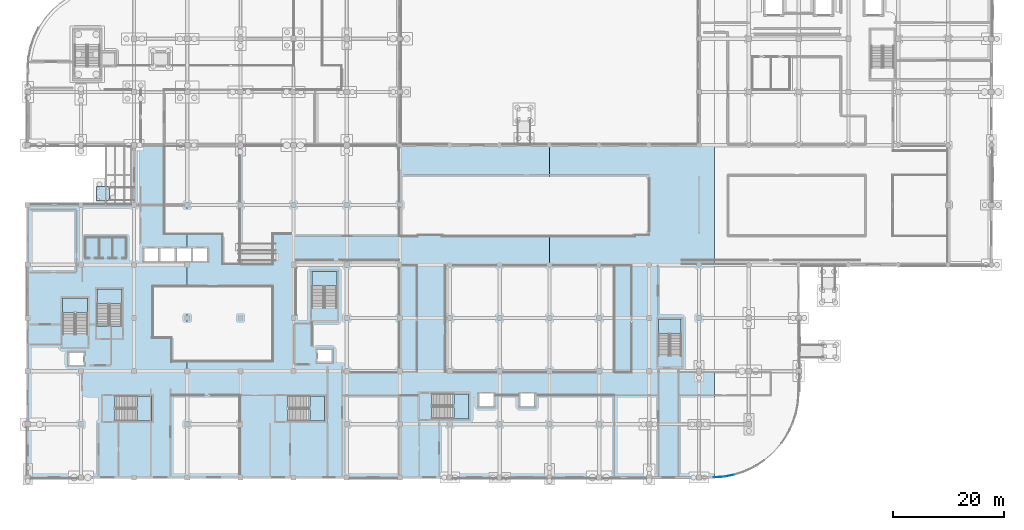
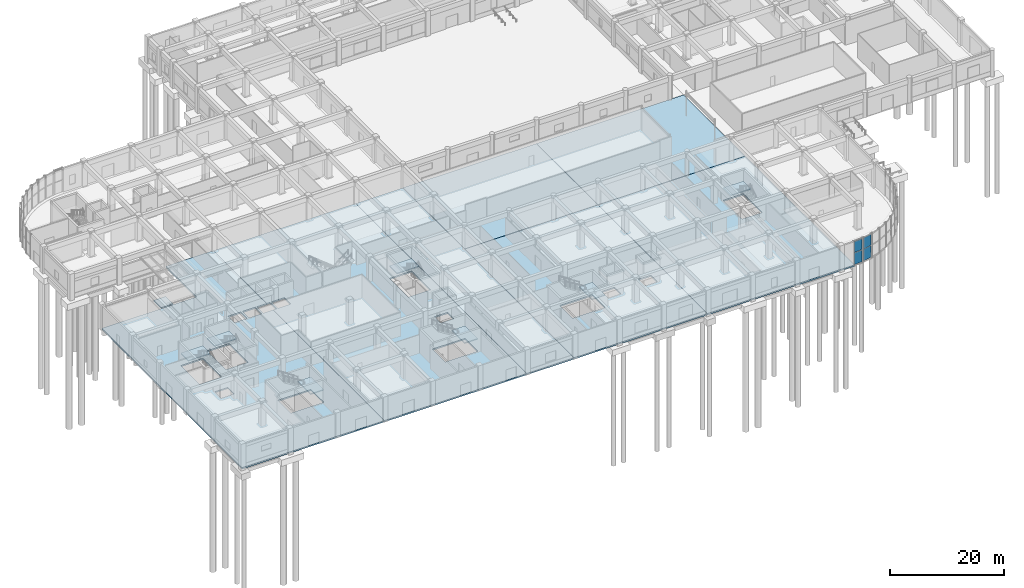
# One storey, part 20 of 74: 15 slabs, 4 plates, 10 elements without a shape of their own.
"""IFC4 building model written with IfcOpenShell, lengths in metres."""

from ifc_helpers import new_model, si_unit, direction, frame, origin, origin_2d, place, context, subcontext, project, spatial, polyline, rectangle, outline, extrude, material, layer, layer_set, type_object, element, aggregate, save


model = new_model("IFC4")

# Units and contexts
model_context = context("Model", 3, precision=1e-05, world=origin(), true_north=direction((0.0, 1.0)))
body_context = subcontext(model_context, "Body", "Model", "MODEL_VIEW")
ifc_project = project(units=[si_unit("LENGTHUNIT", "METRE"), si_unit("AREAUNIT", "SQUARE_METRE"), si_unit("VOLUMEUNIT", "CUBIC_METRE"), si_unit("PLANEANGLEUNIT", "RADIAN"), si_unit("MASSUNIT", "GRAM", prefix="KILO")], contexts=[model_context])

# Site, building, storey
site_placement = place(None, origin())
site = spatial("IfcSite", under=ifc_project, at=site_placement, CompositionType="ELEMENT")
building_placement = place(site_placement, origin())
building = spatial("IfcBuilding", under=site, at=building_placement, Name="Cendralis Terraced Arcade", CompositionType="ELEMENT")
storey_placement = place(building_placement, origin())
storey = spatial("IfcBuildingStorey", under=building, at=storey_placement, Name="L00", CompositionType="ELEMENT", Elevation=0.0)

# Curtain wall, plates
ifc_material_1 = material(Name="Anodised aluminium EN AW-6063 T6", Category="aluminium")
ifc_layer_1 = layer(ifc_material_1, 0.139892578125, Name="CW-STORE-A")
ifc_layer_set_1 = layer_set([ifc_layer_1], Name="Anodised aluminium EN AW-6063 T6")
curtain_wall_type = type_object("IfcCurtainWallType", Name="CW-STORE-A", PredefinedType="USERDEFINED", material=ifc_layer_set_1)
curtain_wall_1_placement = place(storey_placement, origin())
curtain_wall_1 = element("IfcCurtainWall", 1, at=curtain_wall_1_placement, inside=storey, type_object=curtain_wall_type, Name="Exterior Storefront Glazing CW-L00-0011", ObjectType="STOREFRONT GLAZING", PredefinedType="USERDEFINED")
ifc_material_2 = material(Name="Tempered solar control laminated glass", Category="glass")
ifc_layer_2 = layer(ifc_material_2, 0.028076171875, Name="CW-STORE-A-PNL")
ifc_layer_set_2 = layer_set([ifc_layer_2], Name="Tempered solar control laminated glass")
plate_type = type_object("IfcPlateType", Name="CW-STORE-A-PNL", PredefinedType="CURTAIN_PANEL", material=ifc_layer_set_2)
plate_1_placement = place(storey_placement, frame((126.717529296875, 0.330322265625, 0.06005859375), z_axis=(0.0, 0.0, 1.0), x_axis=(-0.980796601395, -0.195033398913, 0.0)))
plate_1 = element("IfcPlate", 2, at=plate_1_placement, type_object=plate_type, Name="CW-S1 panel 1.1", PredefinedType="CURTAIN_PANEL", context=body_context, shape_type="SweptSolid", body=[
    extrude(rectangle(XDim=1.727294921875, YDim=0.028076171875, at=origin_2d()), origin(), (0.0, 0.0, 1.0), 2.556884765625),
])
plate_2_placement = place(storey_placement, frame((126.717529296875, 0.330322265625, 2.6767578125), z_axis=(0.0, 0.0, 1.0), x_axis=(-0.980796601395, -0.195033398913, 0.0)))
plate_2 = element("IfcPlate", 3, at=plate_2_placement, type_object=plate_type, Name="CW-S1 panel 1.2", PredefinedType="CURTAIN_PANEL", context=body_context, shape_type="SweptSolid", body=[
    extrude(rectangle(XDim=1.727294921875, YDim=0.028076171875, at=origin_2d()), origin(), (0.0, 0.0, 1.0), 2.353271484375),
])
aggregate(curtain_wall_1, [plate_1, plate_2])

curtain_wall_2_placement = place(storey_placement, origin())
curtain_wall_2 = element("IfcCurtainWall", 4, at=curtain_wall_2_placement, inside=storey, type_object=curtain_wall_type, Name="Exterior Storefront Glazing CW-L00-0012", ObjectType="STOREFRONT GLAZING", PredefinedType="USERDEFINED")
plate_3_placement = place(storey_placement, frame((124.711669921875, 0.06640625, 0.06005859375), z_axis=(0.0, 0.0, 1.0), x_axis=(-0.997860192175, -0.065383766124, 0.0)))
plate_3 = element("IfcPlate", 5, at=plate_3_placement, type_object=plate_type, Name="CW-S1 panel 1.1", PredefinedType="CURTAIN_PANEL", context=body_context, shape_type="SweptSolid", body=[
    extrude(rectangle(XDim=1.7275390625, YDim=0.028076171875, at=origin_2d()), origin(), (0.0, 0.0, 1.0), 2.556884765625),
])
plate_4_placement = place(storey_placement, frame((124.711669921875, 0.06640625, 2.6767578125), z_axis=(0.0, 0.0, 1.0), x_axis=(-0.997860192175, -0.065383766124, 0.0)))
plate_4 = element("IfcPlate", 6, at=plate_4_placement, type_object=plate_type, Name="CW-S1 panel 1.2", PredefinedType="CURTAIN_PANEL", context=body_context, shape_type="SweptSolid", body=[
    extrude(rectangle(XDim=1.7275390625, YDim=0.028076171875, at=origin_2d()), origin(), (0.0, 0.0, 1.0), 2.353271484375),
])
aggregate(curtain_wall_2, [plate_3, plate_4])

# Slabs
ifc_material_3 = material(Name="Concrete f'c 35 MPa", Category="concrete")
ifc_layer_3 = layer(ifc_material_3, 0.300048828125, Name="SLB-L00-300")
ifc_layer_set_3 = layer_set([ifc_layer_3], Name="Concrete f'c 35 MPa")
slab_type_1 = type_object("IfcSlabType", Name="SLB-L00-300", PredefinedType="FLOOR", material=ifc_layer_set_3)
slab_1_placement = place(storey_placement, frame((0.0, 0.0, -0.300048828125)))
element("IfcSlab", 7, at=slab_1_placement, inside=storey, type_object=slab_type_1, Name="Reinforced Concrete Floor Slab SLB-L00-V1-W1-1", PredefinedType="FLOOR", context=body_context, shape_type="SweptSolid", body=[
    extrude(outline(polyline([(19.199951171875, 49.199951171875), (19.199951171875, 60.0), (28.800048828125, 60.0), (28.800048828125, 41.324951171875), (26.8798828125, 41.324951171875), (26.8798828125, 39.074951171875), (28.800048828125, 39.074951171875), (28.800048828125, 0.0), (0.0, 0.0), (0.0, 49.199951171875), (19.199951171875, 49.199951171875)]), holes=[polyline([(22.39990234375, 14.699951171875), (15.780029296875, 14.699951171875), (15.780029296875, 10.199951171875), (22.39990234375, 10.199951171875), (22.39990234375, 14.699951171875)]), polyline([(10.10009765625, 22.5), (7.5, 22.5), (7.5, 20.300048828125), (10.10009765625, 20.300048828125), (10.10009765625, 22.5)]), polyline([(10.800048828125, 32.39990234375), (6.300048828125, 32.39990234375), (6.300048828125, 25.780029296875), (10.800048828125, 25.780029296875), (10.800048828125, 32.39990234375)]), polyline([(17.0, 34.0), (12.5, 34.0), (12.5, 27.3798828125), (17.0, 27.3798828125), (17.0, 34.0)]), polyline([(23.60009765625, 41.324951171875), (21.0, 41.324951171875), (21.0, 39.074951171875), (23.60009765625, 39.074951171875), (23.60009765625, 41.324951171875)]), polyline([(26.5400390625, 39.074951171875), (26.5400390625, 41.324951171875), (23.93994140625, 41.324951171875), (23.93994140625, 39.074951171875), (26.5400390625, 39.074951171875)])]), origin(), (0.0, 0.0, 1.0), 0.300048828125),
])
slab_2_placement = place(storey_placement, frame((0.0, 0.0, -0.300048828125)))
element("IfcSlab", 8, at=slab_2_placement, inside=storey, type_object=slab_type_1, Name="Reinforced Concrete Floor Slab SLB-L00-V1-W2-1", PredefinedType="FLOOR", context=body_context, shape_type="SweptSolid", body=[
    extrude(outline(polyline([(28.820068359375, 0.0), (28.820068359375, 39.074951171875), (29.47998046875, 39.074951171875), (29.47998046875, 41.324951171875), (28.820068359375, 41.324951171875), (28.820068359375, 60.0), (57.60009765625, 60.0), (57.60009765625, 0.0), (28.820068359375, 0.0)]), holes=[polyline([(46.97998046875, 14.699951171875), (46.97998046875, 10.199951171875), (53.60009765625, 10.199951171875), (53.60009765625, 14.699951171875), (46.97998046875, 14.699951171875)]), polyline([(51.300048828125, 37.199951171875), (51.300048828125, 30.580078125), (55.800048828125, 30.580078125), (55.800048828125, 37.199951171875), (51.300048828125, 37.199951171875)]), polyline([(29.820068359375, 41.324951171875), (29.820068359375, 39.074951171875), (32.419921875, 39.074951171875), (32.419921875, 41.324951171875), (29.820068359375, 41.324951171875)]), polyline([(54.89990234375, 23.10009765625), (52.300048828125, 23.10009765625), (52.300048828125, 20.89990234375), (54.89990234375, 20.89990234375), (54.89990234375, 23.10009765625)])]), origin(), (0.0, 0.0, 1.0), 0.300048828125),
])
slab_3_placement = place(storey_placement, frame((0.0, 0.0, -0.300048828125)))
element("IfcSlab", 9, at=slab_3_placement, inside=storey, type_object=slab_type_1, Name="Reinforced Concrete Floor Slab SLB-L00-V1-C1-1", PredefinedType="FLOOR", context=body_context, shape_type="SweptSolid", body=[
    extrude(outline(polyline([(57.6201171875, 0.0), (57.6201171875, 60.0), (67.199951171875, 60.0), (67.199951171875, 0.0), (57.6201171875, 0.0)])), origin(), (0.0, 0.0, 1.0), 0.300048828125),
])
slab_4_placement = place(storey_placement, frame((0.0, 0.0, -0.300048828125)))
element("IfcSlab", 10, at=slab_4_placement, inside=storey, type_object=slab_type_1, Name="Reinforced Concrete Floor Slab SLB-L00-V2-C1-1", PredefinedType="FLOOR", context=body_context, shape_type="SweptSolid", body=[
    extrude(outline(polyline([(94.199951171875, 38.39990234375), (67.219970703125, 38.39990234375), (67.219970703125, 60.0), (94.199951171875, 60.0), (94.199951171875, 38.39990234375)])), origin(), (0.0, 0.0, 1.0), 0.300048828125),
])
slab_5_placement = place(storey_placement, frame((0.0, 0.0, -0.300048828125)))
element("IfcSlab", 11, at=slab_5_placement, inside=storey, type_object=slab_type_1, Name="Reinforced Concrete Floor Slab SLB-L00-V2-C2-1", PredefinedType="FLOOR", context=body_context, shape_type="SweptSolid", body=[
    extrude(outline(polyline([(94.219970703125, 38.39990234375), (94.219970703125, 60.0), (124.0, 60.0), (124.0, 38.39990234375), (94.219970703125, 38.39990234375)])), origin(), (0.0, 0.0, 1.0), 0.300048828125),
])
slab_6_placement = place(storey_placement, frame((0.0, 0.0, -0.300048828125)))
element("IfcSlab", 12, at=slab_6_placement, inside=storey, type_object=slab_type_1, Name="Reinforced Concrete Floor Slab SLB-L00-V4-C1-1", PredefinedType="FLOOR", context=body_context, shape_type="SweptSolid", body=[
    extrude(outline(polyline([(94.199951171875, 0.0), (67.219970703125, 0.0), (67.219970703125, 38.3798828125), (94.199951171875, 38.3798828125), (94.199951171875, 0.0)]), holes=[polyline([(72.97998046875, 15.10009765625), (72.97998046875, 10.60009765625), (79.60009765625, 10.60009765625), (79.60009765625, 15.10009765625), (72.97998046875, 15.10009765625)]), polyline([(81.5, 15.125), (81.5, 12.875), (84.10009765625, 12.875), (84.10009765625, 15.125), (81.5, 15.125)]), polyline([(91.5, 15.125), (88.89990234375, 15.125), (88.89990234375, 12.875), (91.5, 12.875), (91.5, 15.125)])]), origin(), (0.0, 0.0, 1.0), 0.300048828125),
])
slab_7_placement = place(storey_placement, frame((0.0, 0.0, -0.300048828125)))
element("IfcSlab", 13, at=slab_7_placement, inside=storey, type_object=slab_type_1, Name="Reinforced Concrete Floor Slab SLB-L00-V4-C2-1", PredefinedType="FLOOR", context=body_context, shape_type="SweptSolid", body=[
    extrude(outline(polyline([(124.0, 0.019775390625), (94.219970703125, 0.0), (94.219970703125, 38.3798828125), (124.0, 38.3798828125), (124.0, 0.019775390625)]), holes=[polyline([(113.89990234375, 28.60009765625), (113.89990234375, 21.97998046875), (118.0, 21.97998046875), (118.0, 28.60009765625), (113.89990234375, 28.60009765625)])]), origin(), (0.0, 0.0, 1.0), 0.300048828125),
])

# Ramp, slab
ramp_type = type_object("IfcRampType", Name="RMP-PED-2400", PredefinedType="STRAIGHT_RUN_RAMP", material=ifc_material_3)
ramp_placement = place(storey_placement, origin())
ramp = element("IfcRamp", 14, at=ramp_placement, inside=storey, type_object=ramp_type, Name="Accessible Pedestrian Entrance Ramp RMP-01", PredefinedType="STRAIGHT_RUN_RAMP")
ifc_layer_4 = layer(ifc_material_3, 0.195068359375, Name="SLB-RAMP-LND-195")
ifc_layer_set_4 = layer_set([ifc_layer_4], Name="Concrete f'c 35 MPa")
slab_type_2 = type_object("IfcSlabType", Name="SLB-RAMP-LND-195", PredefinedType="LANDING", material=ifc_layer_set_4)
slab_8_placement = place(storey_placement, frame((0.0, 0.0, -0.554931640625)))
slab_8 = element("IfcSlab", 15, at=slab_8_placement, type_object=slab_type_2, Name="Accessible Pedestrian Entrance Ramp RMP-01 landing 1", PredefinedType="LANDING", context=body_context, shape_type="SweptSolid", body=[
    extrude(outline(polyline([(12.39990234375, 49.89990234375), (14.800048828125, 49.89990234375), (14.800048828125, 52.5), (12.39990234375, 52.5), (12.39990234375, 49.89990234375)])), origin(), (0.0, 0.0, 1.0), 0.19482421875),
])
aggregate(ramp, [slab_8])

# Stair, slab
stair_type_1 = type_object("IfcStairType", Name="STR-W215-H480", PredefinedType="HALF_TURN_STAIR", material=ifc_material_3)
stair_1_placement = place(storey_placement, origin())
stair_1 = element("IfcStair", 16, at=stair_1_placement, inside=storey, type_object=stair_type_1, Name="L00 Protected Exit Stair ST-01", PredefinedType="HALF_TURN_STAIR")
ifc_layer_5 = layer(ifc_material_3, 0.199951171875, Name="SLB-STAIR-LND-200")
ifc_layer_set_5 = layer_set([ifc_layer_5], Name="Concrete f'c 35 MPa")
slab_type_3 = type_object("IfcSlabType", Name="SLB-STAIR-LND-200", PredefinedType="LANDING", material=ifc_layer_set_5)
slab_9_placement = place(storey_placement, frame((0.0, 0.0, 2.5)))
slab_9 = element("IfcSlab", 17, at=slab_9_placement, type_object=slab_type_3, Name="ST-01 landing 1", PredefinedType="LANDING", context=body_context, shape_type="SweptSolid", body=[
    extrude(outline(polyline([(10.800048828125, 29.739990234375), (10.800048828125, 32.39990234375), (6.300048828125, 32.39990234375), (6.300048828125, 29.739990234375), (10.800048828125, 29.739990234375)])), origin(), (0.0, 0.0, 1.0), 0.199951171875),
])
aggregate(stair_1, [slab_9])

stair_2_placement = place(storey_placement, origin())
stair_2 = element("IfcStair", 18, at=stair_2_placement, inside=storey, type_object=stair_type_1, Name="L00 Protected Exit Stair ST-02", PredefinedType="HALF_TURN_STAIR")
slab_10_placement = place(storey_placement, frame((0.0, 0.0, 2.5)))
slab_10 = element("IfcSlab", 19, at=slab_10_placement, type_object=slab_type_3, Name="ST-02 landing 1", PredefinedType="LANDING", context=body_context, shape_type="SweptSolid", body=[
    extrude(outline(polyline([(19.739990234375, 10.199951171875), (22.39990234375, 10.199951171875), (22.39990234375, 14.699951171875), (19.739990234375, 14.699951171875), (19.739990234375, 10.199951171875)])), origin(), (0.0, 0.0, 1.0), 0.199951171875),
])
aggregate(stair_2, [slab_10])

stair_3_placement = place(storey_placement, origin())
stair_3 = element("IfcStair", 20, at=stair_3_placement, inside=storey, type_object=stair_type_1, Name="L00 Protected Exit Stair ST-03", PredefinedType="HALF_TURN_STAIR")
slab_11_placement = place(storey_placement, frame((0.0, 0.0, 2.5)))
slab_11 = element("IfcSlab", 21, at=slab_11_placement, type_object=slab_type_3, Name="ST-03 landing 1", PredefinedType="LANDING", context=body_context, shape_type="SweptSolid", body=[
    extrude(outline(polyline([(50.93994140625, 10.199951171875), (53.60009765625, 10.199951171875), (53.60009765625, 14.699951171875), (50.93994140625, 14.699951171875), (50.93994140625, 10.199951171875)])), origin(), (0.0, 0.0, 1.0), 0.199951171875),
])
aggregate(stair_3, [slab_11])

stair_4_placement = place(storey_placement, origin())
stair_4 = element("IfcStair", 22, at=stair_4_placement, inside=storey, type_object=stair_type_1, Name="L00 Protected Exit Stair ST-04", PredefinedType="HALF_TURN_STAIR")
slab_12_placement = place(storey_placement, frame((0.0, 0.0, 2.5)))
slab_12 = element("IfcSlab", 23, at=slab_12_placement, type_object=slab_type_3, Name="ST-04 landing 1", PredefinedType="LANDING", context=body_context, shape_type="SweptSolid", body=[
    extrude(outline(polyline([(55.800048828125, 34.5400390625), (55.800048828125, 37.199951171875), (51.300048828125, 37.199951171875), (51.300048828125, 34.5400390625), (55.800048828125, 34.5400390625)])), origin(), (0.0, 0.0, 1.0), 0.199951171875),
])
aggregate(stair_4, [slab_12])

stair_5_placement = place(storey_placement, origin())
stair_5 = element("IfcStair", 24, at=stair_5_placement, inside=storey, type_object=stair_type_1, Name="L00 Protected Exit Stair ST-05", PredefinedType="HALF_TURN_STAIR")
slab_13_placement = place(storey_placement, frame((0.0, 0.0, 2.5)))
slab_13 = element("IfcSlab", 25, at=slab_13_placement, type_object=slab_type_3, Name="ST-05 landing 1", PredefinedType="LANDING", context=body_context, shape_type="SweptSolid", body=[
    extrude(outline(polyline([(17.0, 31.340087890625), (17.0, 34.0), (12.5, 34.0), (12.5, 31.340087890625), (17.0, 31.340087890625)])), origin(), (0.0, 0.0, 1.0), 0.199951171875),
])
aggregate(stair_5, [slab_13])

stair_6_placement = place(storey_placement, origin())
stair_6 = element("IfcStair", 26, at=stair_6_placement, inside=storey, type_object=stair_type_1, Name="L00 Protected Exit Stair ST-08", PredefinedType="HALF_TURN_STAIR")
slab_14_placement = place(storey_placement, frame((0.0, 0.0, 2.5)))
slab_14 = element("IfcSlab", 27, at=slab_14_placement, type_object=slab_type_3, Name="ST-08 landing 1", PredefinedType="LANDING", context=body_context, shape_type="SweptSolid", body=[
    extrude(outline(polyline([(76.93994140625, 10.60009765625), (79.60009765625, 10.60009765625), (79.60009765625, 15.10009765625), (76.93994140625, 15.10009765625), (76.93994140625, 10.60009765625)])), origin(), (0.0, 0.0, 1.0), 0.199951171875),
])
aggregate(stair_6, [slab_14])

stair_type_2 = type_object("IfcStairType", Name="STR-W195-H480", PredefinedType="HALF_TURN_STAIR", material=ifc_material_3)
stair_7_placement = place(storey_placement, origin())
stair_7 = element("IfcStair", 28, at=stair_7_placement, inside=storey, type_object=stair_type_2, Name="L00 Protected Exit Stair ST-09", PredefinedType="HALF_TURN_STAIR")
slab_15_placement = place(storey_placement, frame((0.0, 0.0, 2.5)))
slab_15 = element("IfcSlab", 29, at=slab_15_placement, type_object=slab_type_3, Name="ST-09 landing 1", PredefinedType="LANDING", context=body_context, shape_type="SweptSolid", body=[
    extrude(outline(polyline([(118.0, 25.93994140625), (118.0, 28.60009765625), (113.89990234375, 28.60009765625), (113.89990234375, 25.93994140625), (118.0, 25.93994140625)])), origin(), (0.0, 0.0, 1.0), 0.199951171875),
])
aggregate(stair_7, [slab_15])

save(model, "model.ifc")
